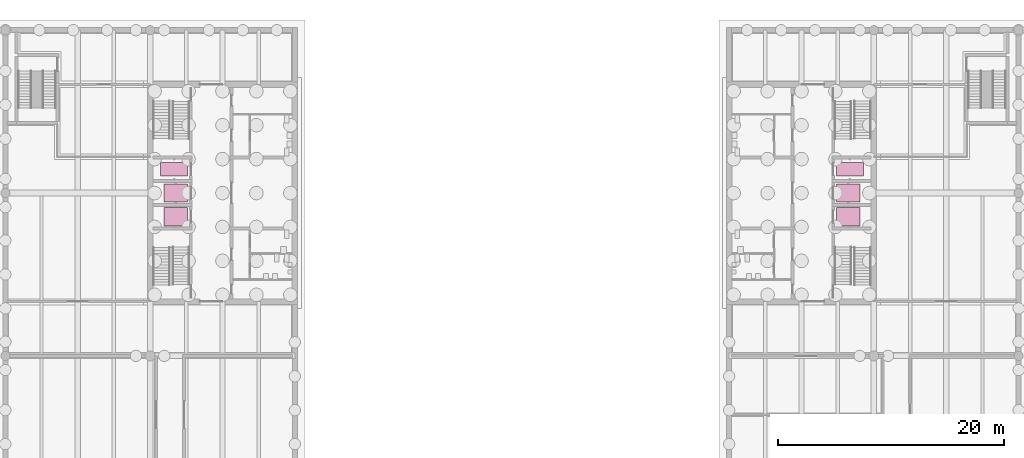
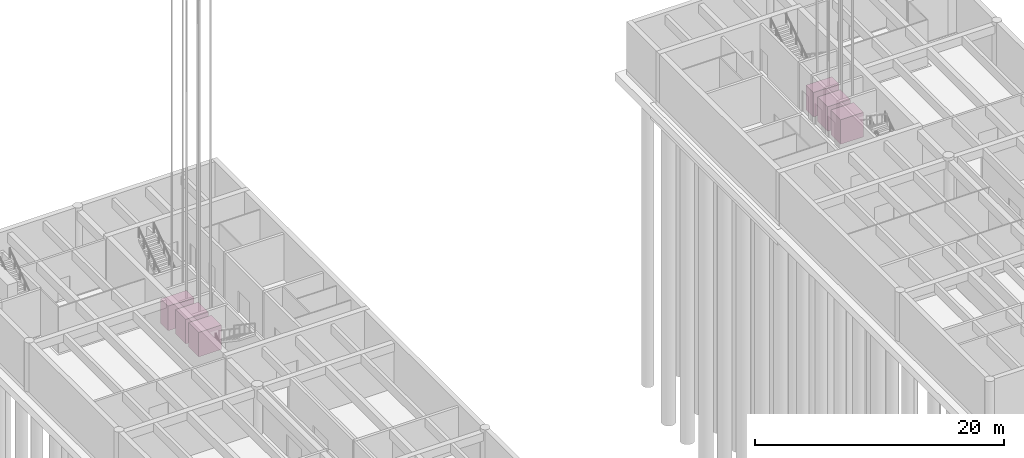
# One storey, part 24 of 24: 6 transport elements.
"""IFC4 building model written with IfcOpenShell, lengths in metres."""

from ifc_helpers import new_model, si_unit, direction, frame, origin, origin_2d, place, context, subcontext, project, spatial, rectangle, extrude, material, type_object, element, save


model = new_model("IFC4")

# Units and contexts
model_context = context("Model", 3, precision=1e-05, world=origin(), true_north=direction((0.0, 1.0)))
body_context = subcontext(model_context, "Body", "Model", "MODEL_VIEW")
ifc_project = project(units=[si_unit("LENGTHUNIT", "METRE"), si_unit("AREAUNIT", "SQUARE_METRE"), si_unit("VOLUMEUNIT", "CUBIC_METRE"), si_unit("PLANEANGLEUNIT", "RADIAN"), si_unit("MASSUNIT", "GRAM", prefix="KILO")], contexts=[model_context])

# Site, building, storey
site_placement = place(None, origin())
site = spatial("IfcSite", under=ifc_project, at=site_placement, CompositionType="ELEMENT")
building_placement = place(site_placement, origin())
building = spatial("IfcBuilding", under=site, at=building_placement, Name="Fogon Plaza Fire Station and Headquarters Tower", CompositionType="ELEMENT")
storey_placement = place(building_placement, frame((0.0, 0.0, -4.800048828125)))
storey = spatial("IfcBuildingStorey", under=building, at=storey_placement, Name="B1", CompositionType="ELEMENT", Elevation=-4.800048828125)

# Transport elements
ifc_material_1 = material(Name="Stainless Steel", Category="steel")
transport_element_type_1 = type_object("IfcTransportElementType", Name="Firefighting Lift 1600 kg", PredefinedType="ELEVATOR", material=ifc_material_1)
for number, where, z_axis, x_axis, name in (
    (1, (14.925048828125, 45.300048828125, 0.0), (0.0, 0.0, 1.0), (1.0, 0.0, 0.0), "Lift FL1"),
    (2, (74.675048828125, 45.300048828125, 0.0), (0.0, 0.0, 1.0), (1.0, 0.0, 0.0), "Lift FL2"),
):
    element("IfcTransportElement", number, at=place(storey_placement, frame(where, z_axis=z_axis, x_axis=x_axis)), inside=storey, type_object=transport_element_type_1, Name=name, PredefinedType="ELEVATOR", context=body_context, shape_type="SweptSolid", body=[
        extrude(rectangle(XDim=2.39990234375, YDim=1.199951171875, at=origin_2d()), origin(), (0.0, 0.0, 1.0), 2.39990234375),
    ])
ifc_material_2 = material(Name="Stainless Steel", Category="steel")
transport_element_type_2 = type_object("IfcTransportElementType", Name="Passenger Lift 1350 kg", PredefinedType="ELEVATOR", material=ifc_material_2)
for number, where, z_axis, x_axis, name in (
    (3, (15.074951171875, 41.10009765625, 0.0), (0.0, 0.0, 1.0), (1.0, 0.0, 0.0), "Lift LP1"),
    (4, (15.074951171875, 43.199951171875, 0.0), (0.0, 0.0, 1.0), (1.0, 0.0, 0.0), "Lift LP2"),
    (5, (74.52490234375, 41.10009765625, 0.0), (0.0, 0.0, 1.0), (1.0, 0.0, 0.0), "Lift LP3"),
    (6, (74.52490234375, 43.199951171875, 0.0), (0.0, 0.0, 1.0), (1.0, 0.0, 0.0), "Lift LP4"),
):
    element("IfcTransportElement", number, at=place(storey_placement, frame(where, z_axis=z_axis, x_axis=x_axis)), inside=storey, type_object=transport_element_type_2, Name=name, PredefinedType="ELEVATOR", context=body_context, shape_type="SweptSolid", body=[
        extrude(rectangle(XDim=2.10009765625, YDim=1.60009765625, at=origin_2d()), origin(), (0.0, 0.0, 1.0), 2.39990234375),
    ])

save(model, "model.ifc")
